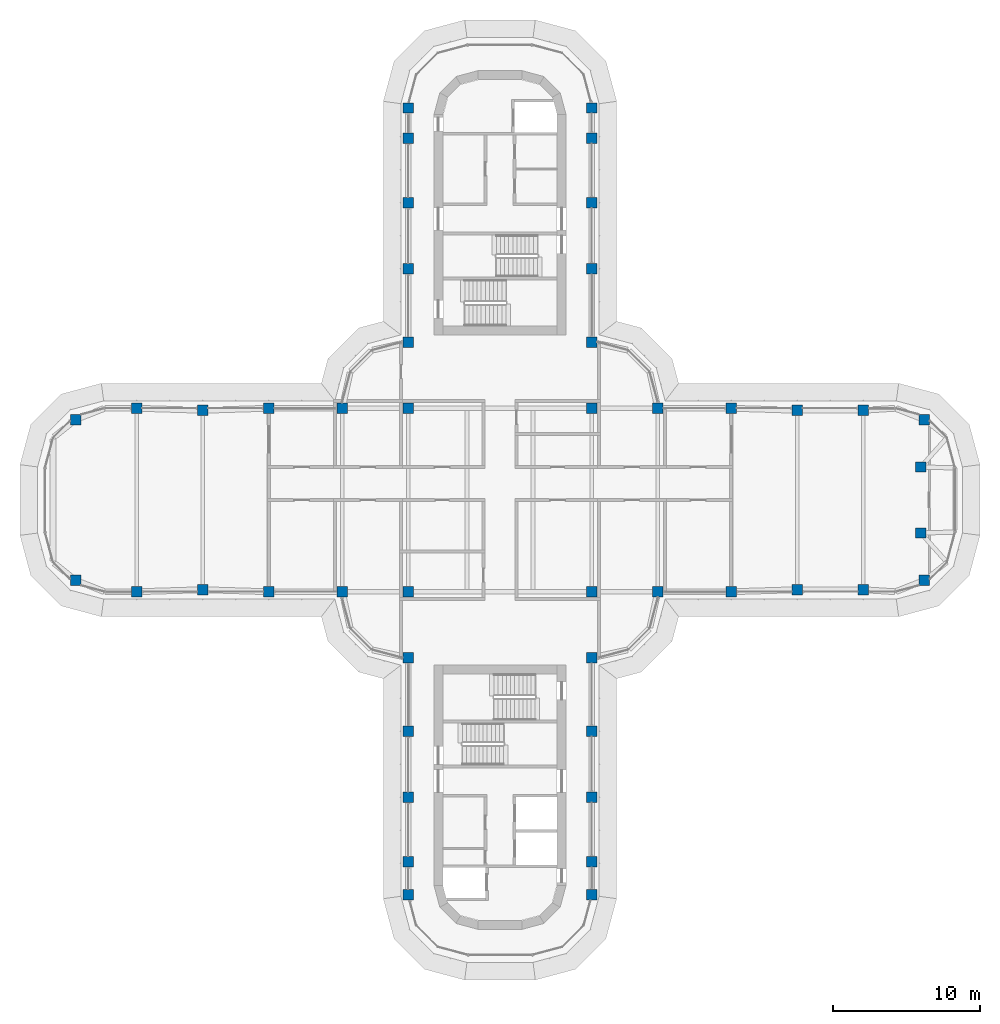
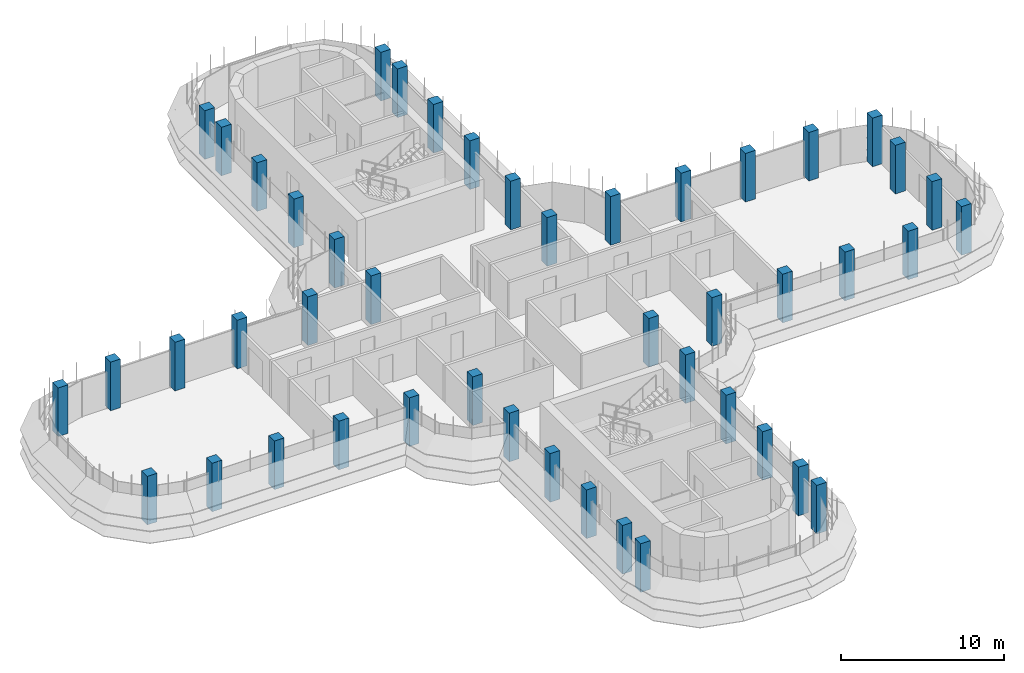
# One storey, part 1 of 18: 46 columns.
"""IFC4 building model written with IfcOpenShell, lengths in metres."""

from ifc_helpers import new_model, si_unit, direction, frame, origin, origin_2d, place, context, subcontext, project, spatial, rectangle, extrude, material, material_profile, profile_set, type_object, element, save


model = new_model("IFC4")

# Units and contexts
model_context = context("Model", 3, precision=1e-05, world=origin(), true_north=direction((0.0, 1.0)))
body_context = subcontext(model_context, "Body", "Model", "MODEL_VIEW")
ifc_project = project(units=[si_unit("LENGTHUNIT", "METRE"), si_unit("AREAUNIT", "SQUARE_METRE"), si_unit("VOLUMEUNIT", "CUBIC_METRE"), si_unit("PLANEANGLEUNIT", "RADIAN"), si_unit("MASSUNIT", "GRAM", prefix="KILO")], contexts=[model_context])

# Site, building, storey
site_placement = place(None, origin())
site = spatial("IfcSite", under=ifc_project, at=site_placement, CompositionType="ELEMENT")
building_placement = place(site_placement, origin())
building = spatial("IfcBuilding", under=site, at=building_placement, Name="Zarbagh Exchange Tower", CompositionType="ELEMENT")
storey_placement = place(building_placement, frame((0.0, 0.0, 214.39990234375)))
storey = spatial("IfcBuildingStorey", under=building, at=storey_placement, Name="L52", CompositionType="ELEMENT", Elevation=214.39990234375)

# Columns
ifc_material = material(Name="Concrete C50/60", Category="concrete")
ifc_material_profile = material_profile(ifc_material, rectangle(XDim=0.699951171875, YDim=0.699951171875, at=origin_2d()), Name="RC column 700 x 700 C50/60")
ifc_profile_set = profile_set([ifc_material_profile], Name="Concrete C50/60")
column_type = type_object("IfcColumnType", Name="RC column 700 x 700 C50/60", PredefinedType="COLUMN", material=ifc_profile_set)
for number, where, z_axis, x_axis, name in (
    (1, (-28.907958984375, -5.47509765625, 0.0), (0.0, 0.0, 1.0), (1.0, 0.0, 0.0), "C5 11/R"),
    (2, (-28.907958984375, 5.47509765625, 0.0), (0.0, 0.0, 1.0), (1.0, 0.0, 0.0), "C5 11/U"),
    (3, (-24.75, -6.25, 0.0), (0.0, 0.0, 1.0), (1.0, 0.0, 0.0), "C5 12/R"),
    (4, (-24.75, 6.25, 0.0), (0.0, 0.0, 1.0), (1.0, 0.0, 0.0), "C5 12/U"),
    (5, (-20.25, -6.110107421875, 0.0), (0.0, 0.0, 1.0), (1.0, 0.0, 0.0), "C5 13/R"),
    (6, (-20.25, 6.110107421875, 0.0), (0.0, 0.0, 1.0), (1.0, 0.0, 0.0), "C5 13/U"),
    (7, (-15.75, -6.25, 0.0), (0.0, 0.0, 1.0), (1.0, 0.0, 0.0), "C5 14/R"),
    (8, (-15.75, 6.25, 0.0), (0.0, 0.0, 1.0), (1.0, 0.0, 0.0), "C5 14/U"),
    (9, (-10.75, -6.25, 0.0), (0.0, 0.0, 1.0), (1.0, 0.0, 0.0), "C5 15/R"),
    (10, (-10.75, 6.25, 0.0), (0.0, 0.0, 1.0), (1.0, 0.0, 0.0), "C5 15/U"),
    (11, (-6.25, -26.89990234375, 0.0), (0.0, 0.0, 1.0), (1.0, 0.0, 0.0), "C5 16/L"),
    (12, (-6.25, -24.64990234375, 0.0), (0.0, 0.0, 1.0), (1.0, 0.0, 0.0), "C5 16/M"),
    (13, (-6.25, -20.25, 0.0), (0.0, 0.0, 1.0), (1.0, 0.0, 0.0), "C5 16/N"),
    (14, (-6.25, -15.75, 0.0), (0.0, 0.0, 1.0), (1.0, 0.0, 0.0), "C5 16/P"),
    (15, (-6.25, -10.75, 0.0), (0.0, 0.0, 1.0), (1.0, 0.0, 0.0), "C5 16/Q"),
    (16, (-6.25, -6.25, 0.0), (0.0, 0.0, 1.0), (1.0, 0.0, 0.0), "C5 16/R"),
    (17, (-6.25, 6.25, 0.0), (0.0, 0.0, 1.0), (1.0, 0.0, 0.0), "C5 16/U"),
    (18, (-6.25, 10.75, 0.0), (0.0, 0.0, 1.0), (1.0, 0.0, 0.0), "C5 16/V"),
    (19, (-6.25, 15.75, 0.0), (0.0, 0.0, 1.0), (1.0, 0.0, 0.0), "C5 16/W"),
    (20, (-6.25, 20.25, 0.0), (0.0, 0.0, 1.0), (1.0, 0.0, 0.0), "C5 16/X"),
    (21, (-6.25, 24.64990234375, 0.0), (0.0, 0.0, 1.0), (1.0, 0.0, 0.0), "C5 16/Y"),
    (22, (-6.25, 26.699951171875, 0.0), (0.0, 0.0, 1.0), (1.0, 0.0, 0.0), "C5 16/Z"),
    (23, (6.25, -26.89990234375, 0.0), (0.0, 0.0, 1.0), (1.0, 0.0, 0.0), "C5 19/L"),
    (24, (6.25, -24.64990234375, 0.0), (0.0, 0.0, 1.0), (1.0, 0.0, 0.0), "C5 19/M"),
    (25, (6.25, -20.25, 0.0), (0.0, 0.0, 1.0), (1.0, 0.0, 0.0), "C5 19/N"),
    (26, (6.25, -15.75, 0.0), (0.0, 0.0, 1.0), (1.0, 0.0, 0.0), "C5 19/P"),
    (27, (6.25, -10.75, 0.0), (0.0, 0.0, 1.0), (1.0, 0.0, 0.0), "C5 19/Q"),
    (28, (6.25, -6.25, 0.0), (0.0, 0.0, 1.0), (1.0, 0.0, 0.0), "C5 19/R"),
    (29, (6.25, 6.25, 0.0), (0.0, 0.0, 1.0), (1.0, 0.0, 0.0), "C5 19/U"),
    (30, (6.25, 10.75, 0.0), (0.0, 0.0, 1.0), (1.0, 0.0, 0.0), "C5 19/V"),
    (31, (6.25, 15.75, 0.0), (0.0, 0.0, 1.0), (1.0, 0.0, 0.0), "C5 19/W"),
    (32, (6.25, 20.25, 0.0), (0.0, 0.0, 1.0), (1.0, 0.0, 0.0), "C5 19/X"),
    (33, (6.25, 24.64990234375, 0.0), (0.0, 0.0, 1.0), (1.0, 0.0, 0.0), "C5 19/Y"),
    (34, (6.25, 26.699951171875, 0.0), (0.0, 0.0, 1.0), (1.0, 0.0, 0.0), "C5 19/Z"),
    (35, (10.75, -6.25, 0.0), (0.0, 0.0, 1.0), (1.0, 0.0, 0.0), "C5 20/R"),
    (36, (10.75, 6.25, 0.0), (0.0, 0.0, 1.0), (1.0, 0.0, 0.0), "C5 20/U"),
    (37, (15.75, -6.25, 0.0), (0.0, 0.0, 1.0), (1.0, 0.0, 0.0), "C5 21/R"),
    (38, (15.75, 6.25, 0.0), (0.0, 0.0, 1.0), (1.0, 0.0, 0.0), "C5 21/U"),
    (39, (20.25, -6.110107421875, 0.0), (0.0, 0.0, 1.0), (1.0, 0.0, 0.0), "C5 22/R"),
    (40, (20.25, 6.110107421875, 0.0), (0.0, 0.0, 1.0), (1.0, 0.0, 0.0), "C5 22/U"),
    (41, (24.75, -6.110107421875, 0.0), (0.0, 0.0, 1.0), (1.0, 0.0, 0.0), "C5 23/R"),
    (42, (24.75, 6.110107421875, 0.0), (0.0, 0.0, 1.0), (1.0, 0.0, 0.0), "C5 23/U"),
    (43, (28.907958984375, -5.47509765625, 0.0), (0.0, 0.0, 1.0), (1.0, 0.0, 0.0), "C5 24/R"),
    (44, (28.669921875, -2.25, 0.0), (0.0, 0.0, 1.0), (1.0, 0.0, 0.0), "C5 24/S"),
    (45, (28.669921875, 2.25, 0.0), (0.0, 0.0, 1.0), (1.0, 0.0, 0.0), "C5 24/T"),
    (46, (28.907958984375, 5.47509765625, 0.0), (0.0, 0.0, 1.0), (1.0, 0.0, 0.0), "C5 24/U"),
):
    element("IfcColumn", number, at=place(storey_placement, frame(where, z_axis=z_axis, x_axis=x_axis)), inside=storey, type_object=column_type, Name=name, PredefinedType="COLUMN", context=body_context, shape_type="SweptSolid", body=[
        extrude(rectangle(XDim=0.699951171875, YDim=0.699951171875, at=origin_2d()), origin(), (0.0, 0.0, 1.0), 3.650146484375),
    ])

save(model, "model.ifc")
